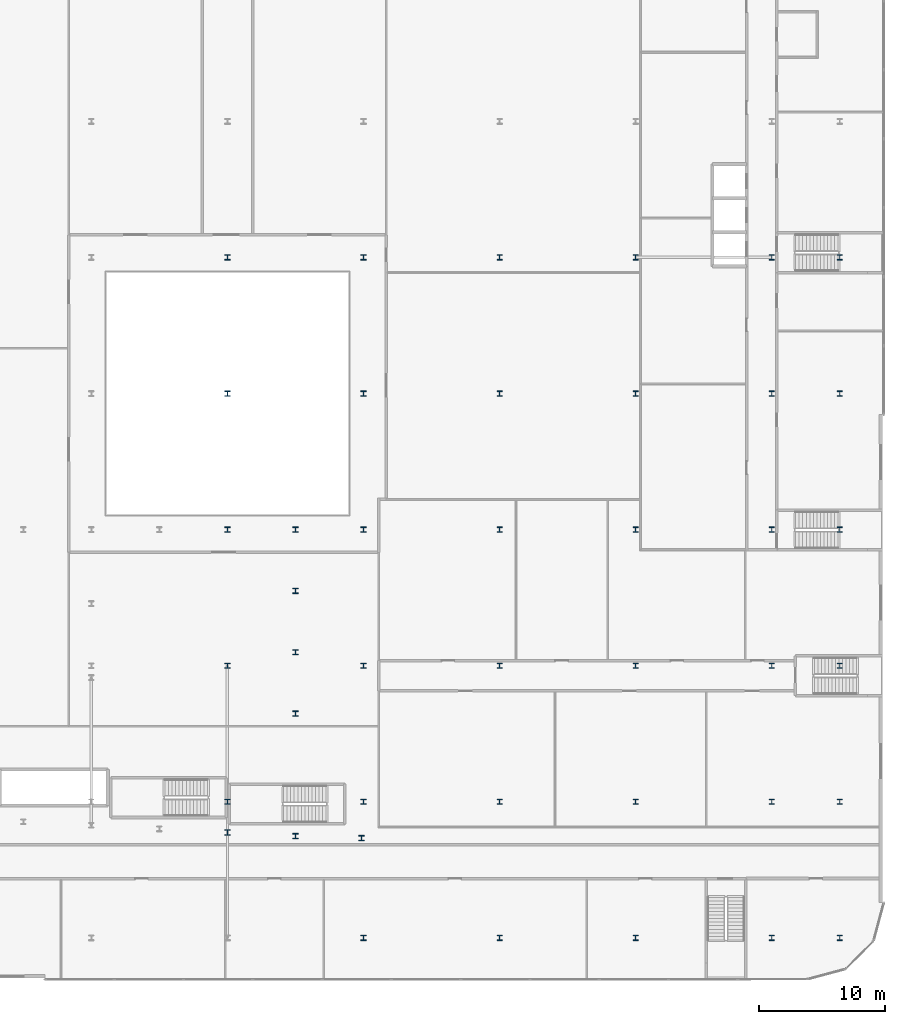
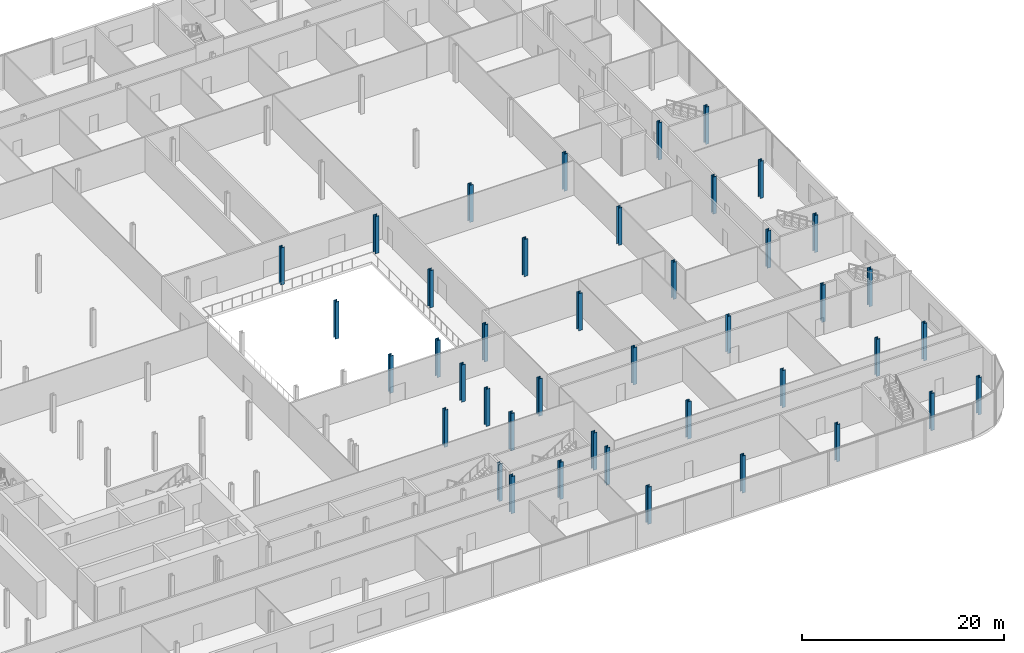
# One storey, part 3 of 47: 42 columns.
"""IFC4 building model written with IfcOpenShell, lengths in metres."""

from ifc_helpers import new_model, si_unit, direction, frame, origin, origin_2d, place, context, subcontext, project, spatial, i_section, extrude, material, material_profile, profile_set, type_object, element, save


model = new_model("IFC4")

# Units and contexts
model_context = context("Model", 3, precision=1e-05, world=origin(), true_north=direction((0.0, 1.0)))
body_context = subcontext(model_context, "Body", "Model", "MODEL_VIEW")
ifc_project = project(units=[si_unit("LENGTHUNIT", "METRE"), si_unit("AREAUNIT", "SQUARE_METRE"), si_unit("VOLUMEUNIT", "CUBIC_METRE"), si_unit("PLANEANGLEUNIT", "RADIAN"), si_unit("MASSUNIT", "GRAM", prefix="KILO")], contexts=[model_context])

# Site, building, storey
site_placement = place(None, origin())
site = spatial("IfcSite", under=ifc_project, at=site_placement, CompositionType="ELEMENT")
building_placement = place(site_placement, origin())
building = spatial("IfcBuilding", under=site, at=building_placement, Name="Kheshtan School and Residences Tower", CompositionType="ELEMENT")
storey_placement = place(building_placement, frame((0.0, 0.0, 21.5)))
storey = spatial("IfcBuildingStorey", under=building, at=storey_placement, Name="L04", CompositionType="ELEMENT", Elevation=21.5)

# Columns
ifc_material = material(Name="Steel ASTM A992 Grade 50", Category="steel")
ifc_material_profile = material_profile(ifc_material, i_section(OverallWidth=0.408935546875, OverallDepth=0.425048828125, WebThickness=0.03271484375, FlangeThickness=0.052490234375, FilletRadius=0.0126953125, at=origin_2d()), Name="W360x421")
ifc_profile_set = profile_set([ifc_material_profile], Name="Steel ASTM A992 Grade 50")
column_type = type_object("IfcColumnType", Name="Column PC2 W360x421 ASTM A992 Grade 50", PredefinedType="COLUMN", material=ifc_profile_set)
for number, where, z_axis, x_axis, name in (
    (1, (90.800048828125, 13.199951171875, 0.0), (0.0, 0.0, 1.0), (1.0, 0.0, 0.0), "Column P-008"),
    (2, (101.60009765625, 13.199951171875, 0.0), (0.0, 0.0, 1.0), (1.0, 0.0, 0.0), "Column P-009"),
    (3, (112.39990234375, 13.199951171875, 0.0), (0.0, 0.0, 1.0), (1.0, 0.0, 0.0), "Column P-010"),
    (4, (123.199951171875, 13.199951171875, 0.0), (0.0, 0.0, 1.0), (1.0, 0.0, 0.0), "Column P-011"),
    (5, (128.60009765625, 13.199951171875, 0.0), (0.0, 0.0, 1.0), (1.0, 0.0, 0.0), "Column P-012"),
    (6, (80.0, 24.0, 0.0), (0.0, 0.0, 1.0), (1.0, 0.0, 0.0), "Column P-019"),
    (7, (90.800048828125, 24.0, 0.0), (0.0, 0.0, 1.0), (1.0, 0.0, 0.0), "Column P-020"),
    (8, (101.60009765625, 24.0, 0.0), (0.0, 0.0, 1.0), (1.0, 0.0, 0.0), "Column P-021"),
    (9, (112.39990234375, 24.0, 0.0), (0.0, 0.0, 1.0), (1.0, 0.0, 0.0), "Column P-022"),
    (10, (123.199951171875, 24.0, 0.0), (0.0, 0.0, 1.0), (1.0, 0.0, 0.0), "Column P-023"),
    (11, (128.60009765625, 24.0, 0.0), (0.0, 0.0, 1.0), (1.0, 0.0, 0.0), "Column P-024"),
    (12, (80.0, 34.800048828125, 0.0), (0.0, 0.0, 1.0), (1.0, 0.0, 0.0), "Column P-031"),
    (13, (90.800048828125, 34.800048828125, 0.0), (0.0, 0.0, 1.0), (1.0, 0.0, 0.0), "Column P-032"),
    (14, (101.60009765625, 34.800048828125, 0.0), (0.0, 0.0, 1.0), (1.0, 0.0, 0.0), "Column P-033"),
    (15, (112.39990234375, 34.800048828125, 0.0), (0.0, 0.0, 1.0), (1.0, 0.0, 0.0), "Column P-034"),
    (16, (123.199951171875, 34.800048828125, 0.0), (0.0, 0.0, 1.0), (1.0, 0.0, 0.0), "Column P-035"),
    (17, (128.60009765625, 34.800048828125, 0.0), (0.0, 0.0, 1.0), (1.0, 0.0, 0.0), "Column P-036"),
    (18, (80.0, 45.60009765625, 0.0), (0.0, 0.0, 1.0), (1.0, 0.0, 0.0), "Column P-043"),
    (19, (90.800048828125, 45.60009765625, 0.0), (0.0, 0.0, 1.0), (1.0, 0.0, 0.0), "Column P-044"),
    (20, (101.60009765625, 45.60009765625, 0.0), (0.0, 0.0, 1.0), (1.0, 0.0, 0.0), "Column P-045"),
    (21, (112.39990234375, 45.60009765625, 0.0), (0.0, 0.0, 1.0), (1.0, 0.0, 0.0), "Column P-046"),
    (22, (123.199951171875, 45.60009765625, 0.0), (0.0, 0.0, 1.0), (1.0, 0.0, 0.0), "Column P-047"),
    (23, (128.60009765625, 45.60009765625, 0.0), (0.0, 0.0, 1.0), (1.0, 0.0, 0.0), "Column P-048"),
    (24, (80.0, 56.39990234375, 0.0), (0.0, 0.0, 1.0), (1.0, 0.0, 0.0), "Column P-055"),
    (25, (90.800048828125, 56.39990234375, 0.0), (0.0, 0.0, 1.0), (1.0, 0.0, 0.0), "Column P-056"),
    (26, (101.60009765625, 56.39990234375, 0.0), (0.0, 0.0, 1.0), (1.0, 0.0, 0.0), "Column P-057"),
    (27, (112.39990234375, 56.39990234375, 0.0), (0.0, 0.0, 1.0), (1.0, 0.0, 0.0), "Column P-058"),
    (28, (123.199951171875, 56.39990234375, 0.0), (0.0, 0.0, 1.0), (1.0, 0.0, 0.0), "Column P-059"),
    (29, (128.60009765625, 56.39990234375, 0.0), (0.0, 0.0, 1.0), (1.0, 0.0, 0.0), "Column P-060"),
    (30, (80.0, 67.199951171875, 0.0), (0.0, 0.0, 1.0), (1.0, 0.0, 0.0), "Column P-067"),
    (31, (90.800048828125, 67.199951171875, 0.0), (0.0, 0.0, 1.0), (1.0, 0.0, 0.0), "Column P-068"),
    (32, (101.60009765625, 67.199951171875, 0.0), (0.0, 0.0, 1.0), (1.0, 0.0, 0.0), "Column P-069"),
    (33, (112.39990234375, 67.199951171875, 0.0), (0.0, 0.0, 1.0), (1.0, 0.0, 0.0), "Column P-070"),
    (34, (123.199951171875, 67.199951171875, 0.0), (0.0, 0.0, 1.0), (1.0, 0.0, 0.0), "Column P-071"),
    (35, (128.60009765625, 67.199951171875, 0.0), (0.0, 0.0, 1.0), (1.0, 0.0, 0.0), "Column P-072"),
    (36, (90.639892578125, 21.110107421875, 0.0), (0.0, 0.0, 1.0), (1.0, 0.0, 0.0), "Transfer column X01"),
    (37, (85.39990234375, 21.27001953125, 0.0), (0.0, 0.0, 1.0), (1.0, 0.0, 0.0), "Transfer column X02"),
    (38, (80.0, 21.56005859375, 0.0), (0.0, 0.0, 1.0), (1.0, 0.0, 0.0), "Transfer column X03"),
    (39, (85.39990234375, 45.60009765625, 0.0), (0.0, 0.0, 1.0), (1.0, 0.0, 0.0), "Transfer column X19"),
    (40, (85.39990234375, 31.0, 0.0), (0.0, 0.0, 1.0), (1.0, 0.0, 0.0), "Transfer column X35"),
    (41, (85.39990234375, 35.8701171875, 0.0), (0.0, 0.0, 1.0), (1.0, 0.0, 0.0), "Transfer column X38"),
    (42, (85.39990234375, 40.72998046875, 0.0), (0.0, 0.0, 1.0), (1.0, 0.0, 0.0), "Transfer column X41"),
):
    element("IfcColumn", number, at=place(storey_placement, frame(where, z_axis=z_axis, x_axis=x_axis)), inside=storey, type_object=column_type, Name=name, PredefinedType="COLUMN", context=body_context, shape_type="SweptSolid", body=[
        extrude(i_section(OverallWidth=0.408935546875, OverallDepth=0.425048828125, WebThickness=0.03271484375, FlangeThickness=0.052490234375, FilletRadius=0.0126953125, at=origin_2d()), origin(), (0.0, 0.0, 1.0), 4.5),
    ])

save(model, "model.ifc")
